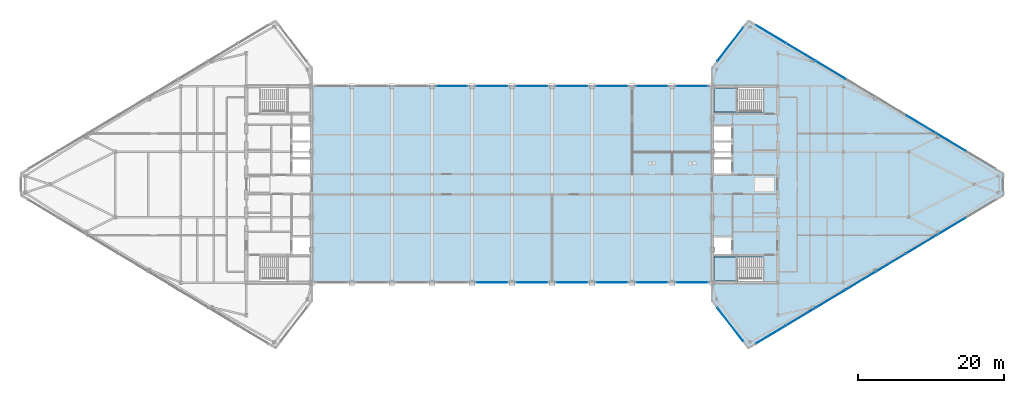
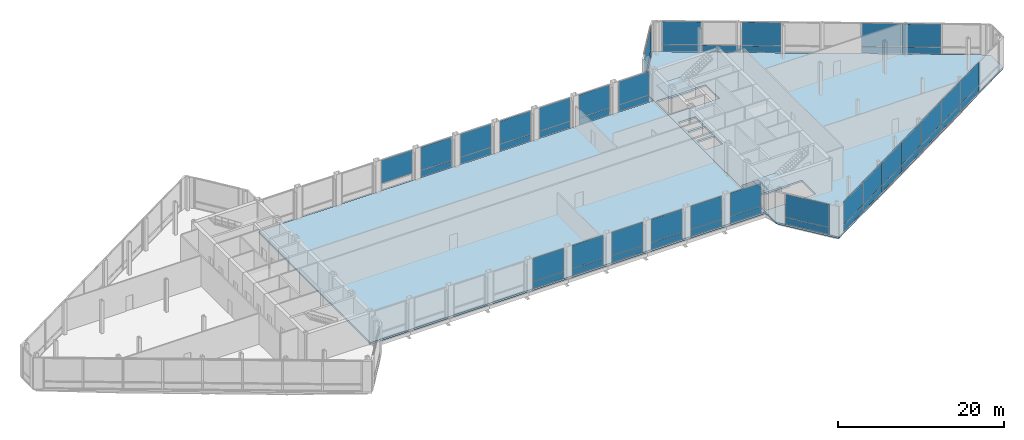
# One storey, part 20 of 29: 52 plates, 4 slabs, 19 elements without a shape of their own.
"""IFC4 building model written with IfcOpenShell, lengths in metres."""

from ifc_helpers import new_model, si_unit, direction, frame, origin, origin_2d, place, context, subcontext, project, spatial, polyline, rectangle, outline, extrude, source, transform, mapped, material, layer, layer_set, type_object, type_shapes, element, aggregate, save


model = new_model("IFC4")

# Units and contexts
model_context = context("Model", 3, precision=1e-05, world=origin(), true_north=direction((0.0, 1.0)))
body_context = subcontext(model_context, "Body", "Model", "MODEL_VIEW")
ifc_project = project(units=[si_unit("LENGTHUNIT", "METRE"), si_unit("AREAUNIT", "SQUARE_METRE"), si_unit("VOLUMEUNIT", "CUBIC_METRE"), si_unit("PLANEANGLEUNIT", "RADIAN"), si_unit("MASSUNIT", "GRAM", prefix="KILO")], contexts=[model_context])

# Site, building, storey
site_placement = place(None, origin())
site = spatial("IfcSite", under=ifc_project, at=site_placement, CompositionType="ELEMENT")
building_placement = place(site_placement, origin())
building = spatial("IfcBuilding", under=site, at=building_placement, Name="Seokmaru Belvedere", CompositionType="ELEMENT")
storey_placement = place(building_placement, frame((0.0, 0.0, 269.39990234375)))
storey = spatial("IfcBuildingStorey", under=building, at=storey_placement, Name="L71", CompositionType="ELEMENT", Elevation=269.39990234375)

# Slabs
ifc_material_1 = material(Name="Concrete C50 (50 MPa)", Category="concrete")
ifc_layer_1 = layer(ifc_material_1, 0.260009765625)
ifc_layer_set_1 = layer_set([ifc_layer_1], Name="Concrete C50 (50 MPa)")
slab_type_1 = type_object("IfcSlabType", Name="Refuge and Sky-Gate Heavy Floor Slab 260", PredefinedType="FLOOR", material=ifc_layer_set_1)
slab_1_placement = place(storey_placement, frame((0.0, 0.0, -0.260009765625)))
element("IfcSlab", 1, at=slab_1_placement, inside=storey, type_object=slab_type_1, Name="L71 East Leg Floor Slab", PredefinedType="FLOOR", context=body_context, shape_type="SweptSolid", body=[
    extrude(outline(polyline([(32.5, -22.5), (67.5, -1.5), (67.5, 1.5), (32.5, 22.5), (27.5, 16.0), (27.5, -16.0), (32.5, -22.5)]), holes=[polyline([(27.75, -13.25), (34.60009765625, -13.25), (34.60009765625, -9.949951171875), (27.75, -9.949951171875), (27.75, -13.25)]), polyline([(27.75, 9.949951171875), (34.60009765625, 9.949951171875), (34.60009765625, 13.25), (27.75, 13.25), (27.75, 9.949951171875)]), polyline([(27.75, -9.550048828125), (30.14990234375, -9.550048828125), (30.14990234375, -7.25), (27.75, -7.25), (27.75, -9.550048828125)]), polyline([(27.75, 1.449951171875), (30.14990234375, 1.449951171875), (30.14990234375, 3.449951171875), (27.75, 3.449951171875), (27.75, 1.449951171875)]), polyline([(27.75, 3.75), (30.14990234375, 3.75), (30.14990234375, 5.75), (27.75, 5.75), (27.75, 3.75)]), polyline([(27.75, 6.050048828125), (30.14990234375, 6.050048828125), (30.14990234375, 8.050048828125), (27.75, 8.050048828125), (27.75, 6.050048828125)])]), origin(), (0.0, 0.0, 1.0), 0.260009765625),
])
slab_2_placement = place(storey_placement, frame((0.0, 0.0, -0.260009765625)))
element("IfcSlab", 2, at=slab_2_placement, inside=storey, type_object=slab_type_1, Name="L71 Sky-Gate Bridge Floor Slab", PredefinedType="FLOOR", context=body_context, shape_type="SweptSolid", body=[
    extrude(outline(polyline([(-27.5, -13.5), (27.5, -13.5), (27.5, 13.5), (-27.5, 13.5), (-27.5, -13.5)])), origin(), (0.0, 0.0, 1.0), 0.260009765625),
])

# Stair, slab
ifc_material_2 = material(Name="Concrete C40 (40 MPa)", Category="concrete")
stair_type = type_object("IfcStairType", Name="Basement Core Dog-Leg Stair 4800", PredefinedType="TWO_STRAIGHT_RUN_STAIR", material=ifc_material_2)
stair_1_placement = place(storey_placement, origin())
stair_1 = element("IfcStair", 3, at=stair_1_placement, inside=storey, type_object=stair_type, Name="L71 Special Escape Stair ST-E1", PredefinedType="TWO_STRAIGHT_RUN_STAIR")
ifc_layer_2 = layer(ifc_material_2, 0.199951171875)
ifc_layer_set_2 = layer_set([ifc_layer_2], Name="Concrete C40 (40 MPa)")
slab_type_2 = type_object("IfcSlabType", Name="Reinforced Concrete Stair Landing Slab 200", PredefinedType="LANDING", material=ifc_layer_set_2)
slab_3_placement = place(storey_placement, frame((0.0, 0.0, 2.2001953125)))
slab_3 = element("IfcSlab", 4, at=slab_3_placement, type_object=slab_type_2, Name="ST-E1 landing 1", PredefinedType="LANDING", context=body_context, shape_type="SweptSolid", body=[
    extrude(outline(polyline([(27.760009765625, -13.239990234375), (31.0400390625, -13.239990234375), (31.0400390625, -9.949951171875), (27.760009765625, -9.949951171875), (27.760009765625, -13.239990234375)])), origin(), (0.0, 0.0, 1.0), 0.199951171875),
])
aggregate(stair_1, [slab_3])

stair_2_placement = place(storey_placement, origin())
stair_2 = element("IfcStair", 5, at=stair_2_placement, inside=storey, type_object=stair_type, Name="L71 Special Escape Stair ST-E2", PredefinedType="TWO_STRAIGHT_RUN_STAIR")
slab_4_placement = place(storey_placement, frame((0.0, 0.0, 2.2001953125)))
slab_4 = element("IfcSlab", 6, at=slab_4_placement, type_object=slab_type_2, Name="ST-E2 landing 1", PredefinedType="LANDING", context=body_context, shape_type="SweptSolid", body=[
    extrude(outline(polyline([(27.760009765625, 9.949951171875), (31.0400390625, 9.949951171875), (31.0400390625, 13.239990234375), (27.760009765625, 13.239990234375), (27.760009765625, 9.949951171875)])), origin(), (0.0, 0.0, 1.0), 0.199951171875),
])
aggregate(stair_2, [slab_4])

# Curtain wall, plate
ifc_material_3 = material(Name="Bronze Triple Insulating Glass", Category="glass")
ifc_layer_3 = layer(ifc_material_3, 0.219970703125)
ifc_layer_set_3 = layer_set([ifc_layer_3], Name="Bronze Triple Insulating Glass")
curtain_wall_type = type_object("IfcCurtainWallType", Name="Sky-Gate Bridge Panorama Curtain Wall System CW-6", PredefinedType="NOTDEFINED", material=ifc_layer_set_3)
curtain_wall_1_placement = place(storey_placement, origin())
curtain_wall_1 = element("IfcCurtainWall", 7, at=curtain_wall_1_placement, inside=storey, type_object=curtain_wall_type, Name="L71 Curtain Wall EF4", PredefinedType="NOTDEFINED")
ifc_layer_4 = layer(ifc_material_3, 0.048095703125)
ifc_layer_set_4 = layer_set([ifc_layer_4], Name="Bronze Triple Insulating Glass")
plate_type_1 = type_object("IfcPlateType", Name="Insulated Bronze Spandrel Glazing Panel 48", PredefinedType="CURTAIN_PANEL", material=ifc_layer_set_4)
shared_shape_1 = source(origin(), body_context, "Body", "SweptSolid", [
    extrude(rectangle(XDim=5.740478515625, YDim=0.0419921875, at=origin_2d()), origin(), (0.0, 0.0, 1.0), 0.9375),
])
plate_1_placement = place(storey_placement, frame((30.0, 19.25, 0.0751953125), z_axis=(0.0, 0.0, 1.0), x_axis=(-0.609701187349, -0.792631353244, 0.0)))
plate_1 = element("IfcPlate", 8, at=plate_1_placement, type_object=plate_type_1, Name="CW:L71:EF4 Glazing Panel 1-1", PredefinedType="CURTAIN_PANEL", context=body_context, shape_type="MappedRepresentation", body=[
    mapped(shared_shape_1, transform((0.0, 0.0, 0.0), scale=1.0)),
])

curtain_wall_2_placement = place(storey_placement, origin())
curtain_wall_2 = element("IfcCurtainWall", 9, at=curtain_wall_2_placement, inside=storey, type_object=curtain_wall_type, Name="L71 Curtain Wall EF6", PredefinedType="NOTDEFINED")
plate_2_placement = place(storey_placement, frame((30.0, -19.25, 0.0751953125), z_axis=(0.0, 0.0, 1.0), x_axis=(0.609701187349, -0.792631353244, 0.0)))
plate_2 = element("IfcPlate", 10, at=plate_2_placement, type_object=plate_type_1, Name="CW:L71:EF6 Glazing Panel 1-1", PredefinedType="CURTAIN_PANEL", context=body_context, shape_type="MappedRepresentation", body=[
    mapped(shared_shape_1, transform((0.0, 0.0, 0.0), scale=1.0)),
])

# Plate
ifc_layer_5 = layer(ifc_material_3, 0.0419921875)
ifc_layer_set_5 = layer_set([ifc_layer_5], Name="Bronze Triple Insulating Glass")
plate_type_2 = type_object("IfcPlateType", Name="Acoustic Laminated Panorama Glazing Panel 42", PredefinedType="CURTAIN_PANEL", material=ifc_layer_set_5)
shared_shape_2 = source(origin(), body_context, "Body", "SweptSolid", [
    extrude(rectangle(XDim=5.740478515625, YDim=0.0419921875, at=origin_2d()), origin(), (0.0, 0.0, 1.0), 3.37744140625),
])
plate_3_placement = place(storey_placement, frame((30.0, 19.25, 1.087646484375), z_axis=(0.0, 0.0, 1.0), x_axis=(-0.609701187349, -0.792631353244, 0.0)))
plate_3 = element("IfcPlate", 11, at=plate_3_placement, type_object=plate_type_2, Name="CW:L71:EF4 Glazing Panel 1-2", PredefinedType="CURTAIN_PANEL", context=body_context, shape_type="MappedRepresentation", body=[
    mapped(shared_shape_2, transform((0.0, 0.0, 0.0), scale=1.0)),
])

aggregate(curtain_wall_1, [plate_1, plate_3])

plate_4_placement = place(storey_placement, frame((30.0, -19.25, 1.087646484375), z_axis=(0.0, 0.0, 1.0), x_axis=(0.609701187349, -0.792631353244, 0.0)))
plate_4 = element("IfcPlate", 12, at=plate_4_placement, type_object=plate_type_2, Name="CW:L71:EF6 Glazing Panel 1-2", PredefinedType="CURTAIN_PANEL", context=body_context, shape_type="MappedRepresentation", body=[
    mapped(shared_shape_2, transform((0.0, 0.0, 0.0), scale=1.0)),
])

aggregate(curtain_wall_2, [plate_2, plate_4])

# Curtain wall, plate
curtain_wall_3_placement = place(storey_placement, origin())
curtain_wall_3 = element("IfcCurtainWall", 13, at=curtain_wall_3_placement, inside=storey, type_object=curtain_wall_type, Name="L71 Curtain Wall EF1", PredefinedType="NOTDEFINED")
shared_shape_3 = source(origin(), body_context, "Body", "SweptSolid", [
    extrude(rectangle(XDim=4.694580078125, YDim=0.0419921875, at=origin_2d()), origin(), (0.0, 0.0, 1.0), 0.9375),
])
plate_5_placement = place(storey_placement, frame((35.5673828125, -20.659423828125, 0.0751953125), z_axis=(0.0, 0.0, 1.0), x_axis=(0.85749343335, 0.514494909364, 0.0)))
plate_5 = element("IfcPlate", 14, at=plate_5_placement, type_object=plate_type_1, Name="CW:L71:EF1 Glazing Panel 1-1", PredefinedType="CURTAIN_PANEL", context=body_context, shape_type="MappedRepresentation", body=[
    mapped(shared_shape_3, transform((0.0, 0.0, 0.0), scale=1.0)),
])

curtain_wall_4_placement = place(storey_placement, origin())
curtain_wall_4 = element("IfcCurtainWall", 15, at=curtain_wall_4_placement, inside=storey, type_object=curtain_wall_type, Name="L71 Curtain Wall EF3", PredefinedType="NOTDEFINED")
plate_6_placement = place(storey_placement, frame((35.5673828125, 20.659423828125, 0.0751953125), z_axis=(0.0, 0.0, 1.0), x_axis=(-0.85749343335, 0.514494909364, 0.0)))
plate_6 = element("IfcPlate", 16, at=plate_6_placement, type_object=plate_type_1, Name="CW:L71:EF3 Glazing Panel 8-1", PredefinedType="CURTAIN_PANEL", context=body_context, shape_type="MappedRepresentation", body=[
    mapped(shared_shape_3, transform((0.0, 0.0, 0.0), scale=1.0)),
])

# Plate
shared_shape_4 = source(origin(), body_context, "Body", "SweptSolid", [
    extrude(rectangle(XDim=4.694580078125, YDim=0.0419921875, at=origin_2d()), origin(), (0.0, 0.0, 1.0), 3.37744140625),
])
plate_7_placement = place(storey_placement, frame((35.5673828125, -20.659423828125, 1.087646484375), z_axis=(0.0, 0.0, 1.0), x_axis=(0.85749343335, 0.514494909364, 0.0)))
plate_7 = element("IfcPlate", 17, at=plate_7_placement, type_object=plate_type_2, Name="CW:L71:EF1 Glazing Panel 1-2", PredefinedType="CURTAIN_PANEL", context=body_context, shape_type="MappedRepresentation", body=[
    mapped(shared_shape_4, transform((0.0, 0.0, 0.0), scale=1.0)),
])

plate_8_placement = place(storey_placement, frame((35.5673828125, 20.659423828125, 1.087646484375), z_axis=(0.0, 0.0, 1.0), x_axis=(-0.85749343335, 0.514494909364, 0.0)))
plate_8 = element("IfcPlate", 18, at=plate_8_placement, type_object=plate_type_2, Name="CW:L71:EF3 Glazing Panel 8-2", PredefinedType="CURTAIN_PANEL", context=body_context, shape_type="MappedRepresentation", body=[
    mapped(shared_shape_4, transform((0.0, 0.0, 0.0), scale=1.0)),
])

shared_shape_5 = source(origin(), body_context, "Body", "SweptSolid", [
    extrude(rectangle(XDim=4.734619140625, YDim=0.0419921875, at=origin_2d()), origin(), (0.0, 0.0, 1.0), 0.9375),
])
plate_9_placement = place(storey_placement, frame((39.6787109375, -18.192626953125, 0.0751953125), z_axis=(0.0, 0.0, 1.0), x_axis=(0.85749343335, 0.514494909364, 0.0)))
plate_9 = element("IfcPlate", 19, at=plate_9_placement, type_object=plate_type_1, Name="CW:L71:EF1 Glazing Panel 2-1", PredefinedType="CURTAIN_PANEL", context=body_context, shape_type="MappedRepresentation", body=[
    mapped(shared_shape_5, transform((0.0, 0.0, 0.0), scale=1.0)),
])

plate_10_placement = place(storey_placement, frame((43.807373046875, -15.715576171875, 0.0751953125), z_axis=(0.0, 0.0, 1.0), x_axis=(0.85749343335, 0.514494909364, 0.0)))
plate_10 = element("IfcPlate", 20, at=plate_10_placement, type_object=plate_type_1, Name="CW:L71:EF1 Glazing Panel 3-1", PredefinedType="CURTAIN_PANEL", context=body_context, shape_type="MappedRepresentation", body=[
    mapped(shared_shape_5, transform((0.0, 0.0, 0.0), scale=1.0)),
])

plate_11_placement = place(storey_placement, frame((47.935791015625, -13.238525390625, 0.0751953125), z_axis=(0.0, 0.0, 1.0), x_axis=(0.85749343335, 0.514494909364, 0.0)))
plate_11 = element("IfcPlate", 21, at=plate_11_placement, type_object=plate_type_1, Name="CW:L71:EF1 Glazing Panel 4-1", PredefinedType="CURTAIN_PANEL", context=body_context, shape_type="MappedRepresentation", body=[
    mapped(shared_shape_5, transform((0.0, 0.0, 0.0), scale=1.0)),
])

plate_12_placement = place(storey_placement, frame((52.064208984375, -10.761474609375, 0.0751953125), z_axis=(0.0, 0.0, 1.0), x_axis=(0.85749343335, 0.514494909364, 0.0)))
plate_12 = element("IfcPlate", 22, at=plate_12_placement, type_object=plate_type_1, Name="CW:L71:EF1 Glazing Panel 5-1", PredefinedType="CURTAIN_PANEL", context=body_context, shape_type="MappedRepresentation", body=[
    mapped(shared_shape_5, transform((0.0, 0.0, 0.0), scale=1.0)),
])

plate_13_placement = place(storey_placement, frame((56.192626953125, -8.284423828125, 0.0751953125), z_axis=(0.0, 0.0, 1.0), x_axis=(0.85749343335, 0.514494909364, 0.0)))
plate_13 = element("IfcPlate", 23, at=plate_13_placement, type_object=plate_type_1, Name="CW:L71:EF1 Glazing Panel 6-1", PredefinedType="CURTAIN_PANEL", context=body_context, shape_type="MappedRepresentation", body=[
    mapped(shared_shape_5, transform((0.0, 0.0, 0.0), scale=1.0)),
])

plate_14_placement = place(storey_placement, frame((60.3212890625, -5.807373046875, 0.0751953125), z_axis=(0.0, 0.0, 1.0), x_axis=(0.85749343335, 0.514494909364, 0.0)))
plate_14 = element("IfcPlate", 24, at=plate_14_placement, type_object=plate_type_1, Name="CW:L71:EF1 Glazing Panel 7-1", PredefinedType="CURTAIN_PANEL", context=body_context, shape_type="MappedRepresentation", body=[
    mapped(shared_shape_5, transform((0.0, 0.0, 0.0), scale=1.0)),
])

plate_15_placement = place(storey_placement, frame((60.3212890625, 5.807373046875, 0.0751953125), z_axis=(0.0, 0.0, 1.0), x_axis=(-0.85749343335, 0.514494909364, 0.0)))
plate_15 = element("IfcPlate", 25, at=plate_15_placement, type_object=plate_type_1, Name="CW:L71:EF3 Glazing Panel 2-1", PredefinedType="CURTAIN_PANEL", context=body_context, shape_type="MappedRepresentation", body=[
    mapped(shared_shape_5, transform((0.0, 0.0, 0.0), scale=1.0)),
])

plate_16_placement = place(storey_placement, frame((56.192626953125, 8.284423828125, 0.0751953125), z_axis=(0.0, 0.0, 1.0), x_axis=(-0.85749343335, 0.514494909364, 0.0)))
plate_16 = element("IfcPlate", 26, at=plate_16_placement, type_object=plate_type_1, Name="CW:L71:EF3 Glazing Panel 3-1", PredefinedType="CURTAIN_PANEL", context=body_context, shape_type="MappedRepresentation", body=[
    mapped(shared_shape_5, transform((0.0, 0.0, 0.0), scale=1.0)),
])

plate_17_placement = place(storey_placement, frame((43.807373046875, 15.715576171875, 0.0751953125), z_axis=(0.0, 0.0, 1.0), x_axis=(-0.85749343335, 0.514494909364, 0.0)))
plate_17 = element("IfcPlate", 27, at=plate_17_placement, type_object=plate_type_1, Name="CW:L71:EF3 Glazing Panel 6-1", PredefinedType="CURTAIN_PANEL", context=body_context, shape_type="MappedRepresentation", body=[
    mapped(shared_shape_5, transform((0.0, 0.0, 0.0), scale=1.0)),
])

plate_18_placement = place(storey_placement, frame((39.6787109375, 18.192626953125, 0.0751953125), z_axis=(0.0, 0.0, 1.0), x_axis=(-0.85749343335, 0.514494909364, 0.0)))
plate_18 = element("IfcPlate", 28, at=plate_18_placement, type_object=plate_type_1, Name="CW:L71:EF3 Glazing Panel 7-1", PredefinedType="CURTAIN_PANEL", context=body_context, shape_type="MappedRepresentation", body=[
    mapped(shared_shape_5, transform((0.0, 0.0, 0.0), scale=1.0)),
])

shared_shape_6 = source(origin(), body_context, "Body", "SweptSolid", [
    extrude(rectangle(XDim=4.734619140625, YDim=0.0419921875, at=origin_2d()), origin(), (0.0, 0.0, 1.0), 3.37744140625),
])
plate_19_placement = place(storey_placement, frame((39.6787109375, -18.192626953125, 1.087646484375), z_axis=(0.0, 0.0, 1.0), x_axis=(0.85749343335, 0.514494909364, 0.0)))
plate_19 = element("IfcPlate", 29, at=plate_19_placement, type_object=plate_type_2, Name="CW:L71:EF1 Glazing Panel 2-2", PredefinedType="CURTAIN_PANEL", context=body_context, shape_type="MappedRepresentation", body=[
    mapped(shared_shape_6, transform((0.0, 0.0, 0.0), scale=1.0)),
])

plate_20_placement = place(storey_placement, frame((43.807373046875, -15.715576171875, 1.087646484375), z_axis=(0.0, 0.0, 1.0), x_axis=(0.85749343335, 0.514494909364, 0.0)))
plate_20 = element("IfcPlate", 30, at=plate_20_placement, type_object=plate_type_2, Name="CW:L71:EF1 Glazing Panel 3-2", PredefinedType="CURTAIN_PANEL", context=body_context, shape_type="MappedRepresentation", body=[
    mapped(shared_shape_6, transform((0.0, 0.0, 0.0), scale=1.0)),
])

plate_21_placement = place(storey_placement, frame((47.935791015625, -13.238525390625, 1.087646484375), z_axis=(0.0, 0.0, 1.0), x_axis=(0.85749343335, 0.514494909364, 0.0)))
plate_21 = element("IfcPlate", 31, at=plate_21_placement, type_object=plate_type_2, Name="CW:L71:EF1 Glazing Panel 4-2", PredefinedType="CURTAIN_PANEL", context=body_context, shape_type="MappedRepresentation", body=[
    mapped(shared_shape_6, transform((0.0, 0.0, 0.0), scale=1.0)),
])

plate_22_placement = place(storey_placement, frame((52.064208984375, -10.761474609375, 1.087646484375), z_axis=(0.0, 0.0, 1.0), x_axis=(0.85749343335, 0.514494909364, 0.0)))
plate_22 = element("IfcPlate", 32, at=plate_22_placement, type_object=plate_type_2, Name="CW:L71:EF1 Glazing Panel 5-2", PredefinedType="CURTAIN_PANEL", context=body_context, shape_type="MappedRepresentation", body=[
    mapped(shared_shape_6, transform((0.0, 0.0, 0.0), scale=1.0)),
])

plate_23_placement = place(storey_placement, frame((56.192626953125, -8.284423828125, 1.087646484375), z_axis=(0.0, 0.0, 1.0), x_axis=(0.85749343335, 0.514494909364, 0.0)))
plate_23 = element("IfcPlate", 33, at=plate_23_placement, type_object=plate_type_2, Name="CW:L71:EF1 Glazing Panel 6-2", PredefinedType="CURTAIN_PANEL", context=body_context, shape_type="MappedRepresentation", body=[
    mapped(shared_shape_6, transform((0.0, 0.0, 0.0), scale=1.0)),
])

plate_24_placement = place(storey_placement, frame((60.3212890625, -5.807373046875, 1.087646484375), z_axis=(0.0, 0.0, 1.0), x_axis=(0.85749343335, 0.514494909364, 0.0)))
plate_24 = element("IfcPlate", 34, at=plate_24_placement, type_object=plate_type_2, Name="CW:L71:EF1 Glazing Panel 7-2", PredefinedType="CURTAIN_PANEL", context=body_context, shape_type="MappedRepresentation", body=[
    mapped(shared_shape_6, transform((0.0, 0.0, 0.0), scale=1.0)),
])

aggregate(curtain_wall_3, [plate_5, plate_7, plate_9, plate_19, plate_10, plate_20, plate_11, plate_21, plate_12, plate_22, plate_13, plate_23, plate_14, plate_24])

plate_25_placement = place(storey_placement, frame((60.3212890625, 5.807373046875, 1.087646484375), z_axis=(0.0, 0.0, 1.0), x_axis=(-0.85749343335, 0.514494909364, 0.0)))
plate_25 = element("IfcPlate", 35, at=plate_25_placement, type_object=plate_type_2, Name="CW:L71:EF3 Glazing Panel 2-2", PredefinedType="CURTAIN_PANEL", context=body_context, shape_type="MappedRepresentation", body=[
    mapped(shared_shape_6, transform((0.0, 0.0, 0.0), scale=1.0)),
])

plate_26_placement = place(storey_placement, frame((56.192626953125, 8.284423828125, 1.087646484375), z_axis=(0.0, 0.0, 1.0), x_axis=(-0.85749343335, 0.514494909364, 0.0)))
plate_26 = element("IfcPlate", 36, at=plate_26_placement, type_object=plate_type_2, Name="CW:L71:EF3 Glazing Panel 3-2", PredefinedType="CURTAIN_PANEL", context=body_context, shape_type="MappedRepresentation", body=[
    mapped(shared_shape_6, transform((0.0, 0.0, 0.0), scale=1.0)),
])

plate_27_placement = place(storey_placement, frame((43.807373046875, 15.715576171875, 1.087646484375), z_axis=(0.0, 0.0, 1.0), x_axis=(-0.85749343335, 0.514494909364, 0.0)))
plate_27 = element("IfcPlate", 37, at=plate_27_placement, type_object=plate_type_2, Name="CW:L71:EF3 Glazing Panel 6-2", PredefinedType="CURTAIN_PANEL", context=body_context, shape_type="MappedRepresentation", body=[
    mapped(shared_shape_6, transform((0.0, 0.0, 0.0), scale=1.0)),
])

aggregate(curtain_wall_4, [plate_15, plate_25, plate_16, plate_26, plate_17, plate_27, plate_18, plate_6, plate_8])

# Curtain wall, plate
curtain_wall_5_placement = place(storey_placement, origin())
curtain_wall_5 = element("IfcCurtainWall", 38, at=curtain_wall_5_placement, inside=storey, type_object=curtain_wall_type, Name="L71 Curtain Wall BR_S05", PredefinedType="NOTDEFINED")
shared_shape_7 = source(origin(), body_context, "Body", "SweptSolid", [
    extrude(rectangle(XDim=4.239990234375, YDim=0.0419921875, at=origin_2d()), origin(), (0.0, 0.0, 1.0), 0.9375),
])
type_shapes(plate_type_1, [shared_shape_1, shared_shape_3, shared_shape_5, shared_shape_7])
plate_28_placement = place(storey_placement, frame((-2.75, -13.5, 0.0751953125), z_axis=(0.0, 0.0, 1.0), x_axis=(1.0, 0.0, 0.0)))
plate_28 = element("IfcPlate", 39, at=plate_28_placement, type_object=plate_type_1, Name="CW:L71:BR_S05 Glazing Panel 1-1", PredefinedType="CURTAIN_PANEL", context=body_context, shape_type="MappedRepresentation", body=[
    mapped(shared_shape_7, transform((0.0, 0.0, 0.0), scale=1.0)),
])

curtain_wall_6_placement = place(storey_placement, origin())
curtain_wall_6 = element("IfcCurtainWall", 40, at=curtain_wall_6_placement, inside=storey, type_object=curtain_wall_type, Name="L71 Curtain Wall BR_N05", PredefinedType="NOTDEFINED")
plate_29_placement = place(storey_placement, frame((-2.75, 13.5, 0.0751953125), z_axis=(0.0, 0.0, 1.0), x_axis=(-1.0, 0.0, 0.0)))
plate_29 = element("IfcPlate", 41, at=plate_29_placement, type_object=plate_type_1, Name="CW:L71:BR_N05 Glazing Panel 1-1", PredefinedType="CURTAIN_PANEL", context=body_context, shape_type="MappedRepresentation", body=[
    mapped(shared_shape_7, transform((0.0, 0.0, 0.0), scale=1.0)),
])

curtain_wall_7_placement = place(storey_placement, origin())
curtain_wall_7 = element("IfcCurtainWall", 42, at=curtain_wall_7_placement, inside=storey, type_object=curtain_wall_type, Name="L71 Curtain Wall BR_S06", PredefinedType="NOTDEFINED")
plate_30_placement = place(storey_placement, frame((2.75, -13.5, 0.0751953125), z_axis=(0.0, 0.0, 1.0), x_axis=(1.0, 0.0, 0.0)))
plate_30 = element("IfcPlate", 43, at=plate_30_placement, type_object=plate_type_1, Name="CW:L71:BR_S06 Glazing Panel 1-1", PredefinedType="CURTAIN_PANEL", context=body_context, shape_type="MappedRepresentation", body=[
    mapped(shared_shape_7, transform((0.0, 0.0, 0.0), scale=1.0)),
])

curtain_wall_8_placement = place(storey_placement, origin())
curtain_wall_8 = element("IfcCurtainWall", 44, at=curtain_wall_8_placement, inside=storey, type_object=curtain_wall_type, Name="L71 Curtain Wall BR_N06", PredefinedType="NOTDEFINED")
plate_31_placement = place(storey_placement, frame((2.75, 13.5, 0.0751953125), z_axis=(0.0, 0.0, 1.0), x_axis=(-1.0, 0.0, 0.0)))
plate_31 = element("IfcPlate", 45, at=plate_31_placement, type_object=plate_type_1, Name="CW:L71:BR_N06 Glazing Panel 1-1", PredefinedType="CURTAIN_PANEL", context=body_context, shape_type="MappedRepresentation", body=[
    mapped(shared_shape_7, transform((0.0, 0.0, 0.0), scale=1.0)),
])

curtain_wall_9_placement = place(storey_placement, origin())
curtain_wall_9 = element("IfcCurtainWall", 46, at=curtain_wall_9_placement, inside=storey, type_object=curtain_wall_type, Name="L71 Curtain Wall BR_S07", PredefinedType="NOTDEFINED")
plate_32_placement = place(storey_placement, frame((8.25, -13.5, 0.0751953125), z_axis=(0.0, 0.0, 1.0), x_axis=(1.0, 0.0, 0.0)))
plate_32 = element("IfcPlate", 47, at=plate_32_placement, type_object=plate_type_1, Name="CW:L71:BR_S07 Glazing Panel 1-1", PredefinedType="CURTAIN_PANEL", context=body_context, shape_type="MappedRepresentation", body=[
    mapped(shared_shape_7, transform((0.0, 0.0, 0.0), scale=1.0)),
])

curtain_wall_10_placement = place(storey_placement, origin())
curtain_wall_10 = element("IfcCurtainWall", 48, at=curtain_wall_10_placement, inside=storey, type_object=curtain_wall_type, Name="L71 Curtain Wall BR_N07", PredefinedType="NOTDEFINED")
plate_33_placement = place(storey_placement, frame((8.25, 13.5, 0.0751953125), z_axis=(0.0, 0.0, 1.0), x_axis=(-1.0, 0.0, 0.0)))
plate_33 = element("IfcPlate", 49, at=plate_33_placement, type_object=plate_type_1, Name="CW:L71:BR_N07 Glazing Panel 1-1", PredefinedType="CURTAIN_PANEL", context=body_context, shape_type="MappedRepresentation", body=[
    mapped(shared_shape_7, transform((0.0, 0.0, 0.0), scale=1.0)),
])

curtain_wall_11_placement = place(storey_placement, origin())
curtain_wall_11 = element("IfcCurtainWall", 50, at=curtain_wall_11_placement, inside=storey, type_object=curtain_wall_type, Name="L71 Curtain Wall BR_S08", PredefinedType="NOTDEFINED")
plate_34_placement = place(storey_placement, frame((13.75, -13.5, 0.0751953125), z_axis=(0.0, 0.0, 1.0), x_axis=(1.0, 0.0, 0.0)))
plate_34 = element("IfcPlate", 51, at=plate_34_placement, type_object=plate_type_1, Name="CW:L71:BR_S08 Glazing Panel 1-1", PredefinedType="CURTAIN_PANEL", context=body_context, shape_type="MappedRepresentation", body=[
    mapped(shared_shape_7, transform((0.0, 0.0, 0.0), scale=1.0)),
])

curtain_wall_12_placement = place(storey_placement, origin())
curtain_wall_12 = element("IfcCurtainWall", 52, at=curtain_wall_12_placement, inside=storey, type_object=curtain_wall_type, Name="L71 Curtain Wall BR_N08", PredefinedType="NOTDEFINED")
plate_35_placement = place(storey_placement, frame((13.75, 13.5, 0.0751953125), z_axis=(0.0, 0.0, 1.0), x_axis=(-1.0, 0.0, 0.0)))
plate_35 = element("IfcPlate", 53, at=plate_35_placement, type_object=plate_type_1, Name="CW:L71:BR_N08 Glazing Panel 1-1", PredefinedType="CURTAIN_PANEL", context=body_context, shape_type="MappedRepresentation", body=[
    mapped(shared_shape_7, transform((0.0, 0.0, 0.0), scale=1.0)),
])

curtain_wall_13_placement = place(storey_placement, origin())
curtain_wall_13 = element("IfcCurtainWall", 54, at=curtain_wall_13_placement, inside=storey, type_object=curtain_wall_type, Name="L71 Curtain Wall BR_S09", PredefinedType="NOTDEFINED")
plate_36_placement = place(storey_placement, frame((19.25, -13.5, 0.0751953125), z_axis=(0.0, 0.0, 1.0), x_axis=(1.0, 0.0, 0.0)))
plate_36 = element("IfcPlate", 55, at=plate_36_placement, type_object=plate_type_1, Name="CW:L71:BR_S09 Glazing Panel 1-1", PredefinedType="CURTAIN_PANEL", context=body_context, shape_type="MappedRepresentation", body=[
    mapped(shared_shape_7, transform((0.0, 0.0, 0.0), scale=1.0)),
])

curtain_wall_14_placement = place(storey_placement, origin())
curtain_wall_14 = element("IfcCurtainWall", 56, at=curtain_wall_14_placement, inside=storey, type_object=curtain_wall_type, Name="L71 Curtain Wall BR_N09", PredefinedType="NOTDEFINED")
plate_37_placement = place(storey_placement, frame((19.25, 13.5, 0.0751953125), z_axis=(0.0, 0.0, 1.0), x_axis=(-1.0, 0.0, 0.0)))
plate_37 = element("IfcPlate", 57, at=plate_37_placement, type_object=plate_type_1, Name="CW:L71:BR_N09 Glazing Panel 1-1", PredefinedType="CURTAIN_PANEL", context=body_context, shape_type="MappedRepresentation", body=[
    mapped(shared_shape_7, transform((0.0, 0.0, 0.0), scale=1.0)),
])

curtain_wall_15_placement = place(storey_placement, origin())
curtain_wall_15 = element("IfcCurtainWall", 58, at=curtain_wall_15_placement, inside=storey, type_object=curtain_wall_type, Name="L71 Curtain Wall BR_S10", PredefinedType="NOTDEFINED")
plate_38_placement = place(storey_placement, frame((24.75, -13.5, 0.0751953125), z_axis=(0.0, 0.0, 1.0), x_axis=(1.0, 0.0, 0.0)))
plate_38 = element("IfcPlate", 59, at=plate_38_placement, type_object=plate_type_1, Name="CW:L71:BR_S10 Glazing Panel 1-1", PredefinedType="CURTAIN_PANEL", context=body_context, shape_type="MappedRepresentation", body=[
    mapped(shared_shape_7, transform((0.0, 0.0, 0.0), scale=1.0)),
])

curtain_wall_16_placement = place(storey_placement, origin())
curtain_wall_16 = element("IfcCurtainWall", 60, at=curtain_wall_16_placement, inside=storey, type_object=curtain_wall_type, Name="L71 Curtain Wall BR_N10", PredefinedType="NOTDEFINED")
plate_39_placement = place(storey_placement, frame((24.75, 13.5, 0.0751953125), z_axis=(0.0, 0.0, 1.0), x_axis=(-1.0, 0.0, 0.0)))
plate_39 = element("IfcPlate", 61, at=plate_39_placement, type_object=plate_type_1, Name="CW:L71:BR_N10 Glazing Panel 1-1", PredefinedType="CURTAIN_PANEL", context=body_context, shape_type="MappedRepresentation", body=[
    mapped(shared_shape_7, transform((0.0, 0.0, 0.0), scale=1.0)),
])

curtain_wall_17_placement = place(storey_placement, origin())
curtain_wall_17 = element("IfcCurtainWall", 62, at=curtain_wall_17_placement, inside=storey, type_object=curtain_wall_type, Name="L71 Curtain Wall BR_N04", PredefinedType="NOTDEFINED")
shared_shape_8 = source(origin(), body_context, "Body", "SweptSolid", [
    extrude(rectangle(XDim=4.239990234375, YDim=0.0419921875, at=origin_2d()), origin(), (0.0, 0.0, 1.0), 3.37744140625),
])
type_shapes(plate_type_2, [shared_shape_2, shared_shape_4, shared_shape_6, shared_shape_8])
plate_40_placement = place(storey_placement, frame((-8.25, 13.5, 1.087646484375), z_axis=(0.0, 0.0, 1.0), x_axis=(-1.0, 0.0, 0.0)))
plate_40 = element("IfcPlate", 63, at=plate_40_placement, type_object=plate_type_2, Name="CW:L71:BR_N04 Glazing Panel 1-2", PredefinedType="CURTAIN_PANEL", context=body_context, shape_type="MappedRepresentation", body=[
    mapped(shared_shape_8, transform((0.0, 0.0, 0.0), scale=1.0)),
])
aggregate(curtain_wall_17, [plate_40])

# Plate
plate_41_placement = place(storey_placement, frame((-2.75, -13.5, 1.087646484375), z_axis=(0.0, 0.0, 1.0), x_axis=(1.0, 0.0, 0.0)))
plate_41 = element("IfcPlate", 64, at=plate_41_placement, type_object=plate_type_2, Name="CW:L71:BR_S05 Glazing Panel 1-2", PredefinedType="CURTAIN_PANEL", context=body_context, shape_type="MappedRepresentation", body=[
    mapped(shared_shape_8, transform((0.0, 0.0, 0.0), scale=1.0)),
])

aggregate(curtain_wall_5, [plate_28, plate_41])

plate_42_placement = place(storey_placement, frame((-2.75, 13.5, 1.087646484375), z_axis=(0.0, 0.0, 1.0), x_axis=(-1.0, 0.0, 0.0)))
plate_42 = element("IfcPlate", 65, at=plate_42_placement, type_object=plate_type_2, Name="CW:L71:BR_N05 Glazing Panel 1-2", PredefinedType="CURTAIN_PANEL", context=body_context, shape_type="MappedRepresentation", body=[
    mapped(shared_shape_8, transform((0.0, 0.0, 0.0), scale=1.0)),
])

aggregate(curtain_wall_6, [plate_29, plate_42])

plate_43_placement = place(storey_placement, frame((2.75, -13.5, 1.087646484375), z_axis=(0.0, 0.0, 1.0), x_axis=(1.0, 0.0, 0.0)))
plate_43 = element("IfcPlate", 66, at=plate_43_placement, type_object=plate_type_2, Name="CW:L71:BR_S06 Glazing Panel 1-2", PredefinedType="CURTAIN_PANEL", context=body_context, shape_type="MappedRepresentation", body=[
    mapped(shared_shape_8, transform((0.0, 0.0, 0.0), scale=1.0)),
])

aggregate(curtain_wall_7, [plate_30, plate_43])

plate_44_placement = place(storey_placement, frame((2.75, 13.5, 1.087646484375), z_axis=(0.0, 0.0, 1.0), x_axis=(-1.0, 0.0, 0.0)))
plate_44 = element("IfcPlate", 67, at=plate_44_placement, type_object=plate_type_2, Name="CW:L71:BR_N06 Glazing Panel 1-2", PredefinedType="CURTAIN_PANEL", context=body_context, shape_type="MappedRepresentation", body=[
    mapped(shared_shape_8, transform((0.0, 0.0, 0.0), scale=1.0)),
])

aggregate(curtain_wall_8, [plate_31, plate_44])

plate_45_placement = place(storey_placement, frame((8.25, -13.5, 1.087646484375), z_axis=(0.0, 0.0, 1.0), x_axis=(1.0, 0.0, 0.0)))
plate_45 = element("IfcPlate", 68, at=plate_45_placement, type_object=plate_type_2, Name="CW:L71:BR_S07 Glazing Panel 1-2", PredefinedType="CURTAIN_PANEL", context=body_context, shape_type="MappedRepresentation", body=[
    mapped(shared_shape_8, transform((0.0, 0.0, 0.0), scale=1.0)),
])

aggregate(curtain_wall_9, [plate_32, plate_45])

plate_46_placement = place(storey_placement, frame((8.25, 13.5, 1.087646484375), z_axis=(0.0, 0.0, 1.0), x_axis=(-1.0, 0.0, 0.0)))
plate_46 = element("IfcPlate", 69, at=plate_46_placement, type_object=plate_type_2, Name="CW:L71:BR_N07 Glazing Panel 1-2", PredefinedType="CURTAIN_PANEL", context=body_context, shape_type="MappedRepresentation", body=[
    mapped(shared_shape_8, transform((0.0, 0.0, 0.0), scale=1.0)),
])

aggregate(curtain_wall_10, [plate_33, plate_46])

plate_47_placement = place(storey_placement, frame((13.75, -13.5, 1.087646484375), z_axis=(0.0, 0.0, 1.0), x_axis=(1.0, 0.0, 0.0)))
plate_47 = element("IfcPlate", 70, at=plate_47_placement, type_object=plate_type_2, Name="CW:L71:BR_S08 Glazing Panel 1-2", PredefinedType="CURTAIN_PANEL", context=body_context, shape_type="MappedRepresentation", body=[
    mapped(shared_shape_8, transform((0.0, 0.0, 0.0), scale=1.0)),
])

aggregate(curtain_wall_11, [plate_34, plate_47])

plate_48_placement = place(storey_placement, frame((13.75, 13.5, 1.087646484375), z_axis=(0.0, 0.0, 1.0), x_axis=(-1.0, 0.0, 0.0)))
plate_48 = element("IfcPlate", 71, at=plate_48_placement, type_object=plate_type_2, Name="CW:L71:BR_N08 Glazing Panel 1-2", PredefinedType="CURTAIN_PANEL", context=body_context, shape_type="MappedRepresentation", body=[
    mapped(shared_shape_8, transform((0.0, 0.0, 0.0), scale=1.0)),
])

aggregate(curtain_wall_12, [plate_35, plate_48])

plate_49_placement = place(storey_placement, frame((19.25, -13.5, 1.087646484375), z_axis=(0.0, 0.0, 1.0), x_axis=(1.0, 0.0, 0.0)))
plate_49 = element("IfcPlate", 72, at=plate_49_placement, type_object=plate_type_2, Name="CW:L71:BR_S09 Glazing Panel 1-2", PredefinedType="CURTAIN_PANEL", context=body_context, shape_type="MappedRepresentation", body=[
    mapped(shared_shape_8, transform((0.0, 0.0, 0.0), scale=1.0)),
])

aggregate(curtain_wall_13, [plate_36, plate_49])

plate_50_placement = place(storey_placement, frame((19.25, 13.5, 1.087646484375), z_axis=(0.0, 0.0, 1.0), x_axis=(-1.0, 0.0, 0.0)))
plate_50 = element("IfcPlate", 73, at=plate_50_placement, type_object=plate_type_2, Name="CW:L71:BR_N09 Glazing Panel 1-2", PredefinedType="CURTAIN_PANEL", context=body_context, shape_type="MappedRepresentation", body=[
    mapped(shared_shape_8, transform((0.0, 0.0, 0.0), scale=1.0)),
])

aggregate(curtain_wall_14, [plate_37, plate_50])

plate_51_placement = place(storey_placement, frame((24.75, -13.5, 1.087646484375), z_axis=(0.0, 0.0, 1.0), x_axis=(1.0, 0.0, 0.0)))
plate_51 = element("IfcPlate", 74, at=plate_51_placement, type_object=plate_type_2, Name="CW:L71:BR_S10 Glazing Panel 1-2", PredefinedType="CURTAIN_PANEL", context=body_context, shape_type="MappedRepresentation", body=[
    mapped(shared_shape_8, transform((0.0, 0.0, 0.0), scale=1.0)),
])

aggregate(curtain_wall_15, [plate_38, plate_51])

plate_52_placement = place(storey_placement, frame((24.75, 13.5, 1.087646484375), z_axis=(0.0, 0.0, 1.0), x_axis=(-1.0, 0.0, 0.0)))
plate_52 = element("IfcPlate", 75, at=plate_52_placement, type_object=plate_type_2, Name="CW:L71:BR_N10 Glazing Panel 1-2", PredefinedType="CURTAIN_PANEL", context=body_context, shape_type="MappedRepresentation", body=[
    mapped(shared_shape_8, transform((0.0, 0.0, 0.0), scale=1.0)),
])

aggregate(curtain_wall_16, [plate_39, plate_52])

save(model, "model.ifc")
